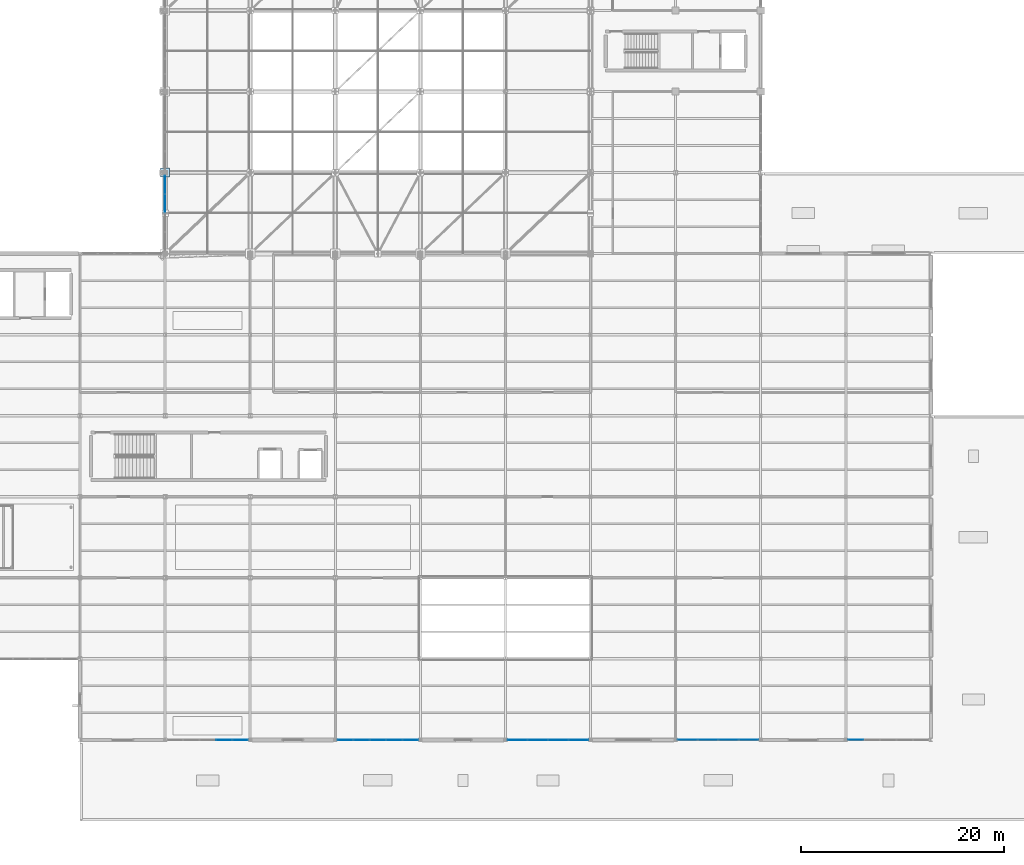
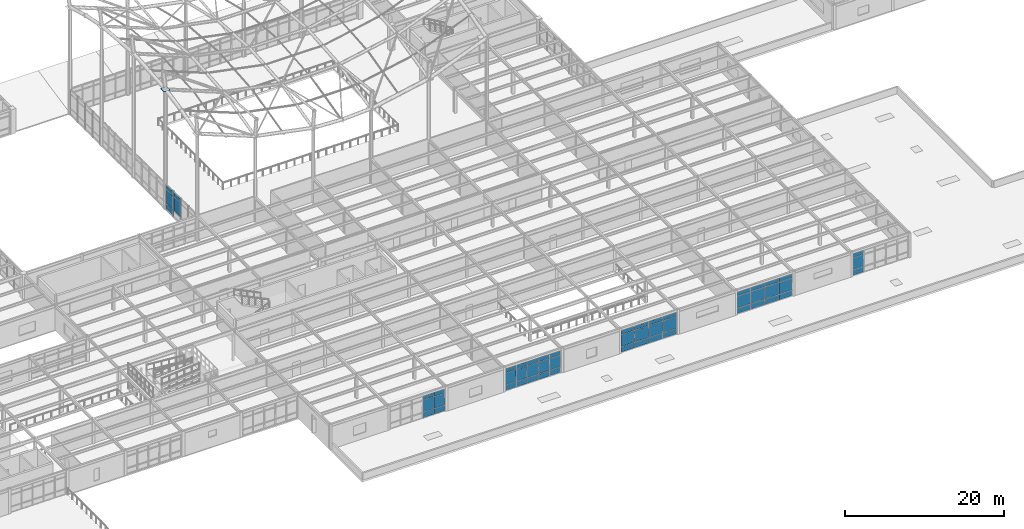
# One storey, part 58 of 138: 54 plates, 6 elements without a shape of their own.
"""IFC4 building model written with IfcOpenShell, lengths in metres."""

from ifc_helpers import new_model, si_unit, direction, frame, origin, origin_2d, place, context, subcontext, project, spatial, rectangle, extrude, material, layer, layer_set, type_object, element, aggregate, save


model = new_model("IFC4")

# Units and contexts
model_context = context("Model", 3, precision=1e-05, world=origin(), true_north=direction((0.0, 1.0)))
body_context = subcontext(model_context, "Body", "Model", "MODEL_VIEW")
ifc_project = project(units=[si_unit("LENGTHUNIT", "METRE"), si_unit("AREAUNIT", "SQUARE_METRE"), si_unit("VOLUMEUNIT", "CUBIC_METRE"), si_unit("PLANEANGLEUNIT", "RADIAN"), si_unit("MASSUNIT", "GRAM", prefix="KILO")], contexts=[model_context])

# Site, building, storey
site_placement = place(None, origin())
site = spatial("IfcSite", under=ifc_project, at=site_placement, CompositionType="ELEMENT")
building_placement = place(site_placement, origin())
building = spatial("IfcBuilding", under=site, at=building_placement, Name="Kranzveld Transit Interchange", CompositionType="ELEMENT")
storey_placement = place(building_placement, frame((0.0, 0.0, 5.43994140625)))
storey = spatial("IfcBuildingStorey", under=building, at=storey_placement, Name="L01", CompositionType="ELEMENT", Elevation=5.43994140625)

# Curtain wall, plates
ifc_material_1 = material(Name="Bronze-anodised thermally broken aluminium", Category="aluminium")
ifc_layer_1 = layer(ifc_material_1, 0.1650390625)
ifc_layer_set_1 = layer_set([ifc_layer_1], Name="Bronze-anodised thermally broken aluminium")
curtain_wall_type_1 = type_object("IfcCurtainWallType", Name="Sunny Court Arcade Curtain Wall CW-2", PredefinedType="USERDEFINED", material=ifc_layer_set_1)
curtain_wall_1_placement = place(storey_placement, origin())
curtain_wall_1 = element("IfcCurtainWall", 1, at=curtain_wall_1_placement, inside=storey, type_object=curtain_wall_type_1, Name="L01 Curtain Wall 16/B-17/B", ObjectType="CURTAIN WALL", PredefinedType="USERDEFINED")
ifc_material_2 = material(Name="Solar-control double glazing", Category="glass")
ifc_layer_2 = layer(ifc_material_2, 0.02392578125)
ifc_layer_set_2 = layer_set([ifc_layer_2], Name="Solar-control double glazing")
plate_type_1 = type_object("IfcPlateType", Name="Curtain Panel Clear Glazing 24", PredefinedType="CURTAIN_PANEL", material=ifc_layer_set_2)
plate_1_placement = place(storey_placement, frame((126.97998046875, 8.0, 0.06005859375), z_axis=(0.0, 0.0, 1.0), x_axis=(1.0, 0.0, 0.0)))
plate_1 = element("IfcPlate", 2, at=plate_1_placement, type_object=plate_type_1, Name="CW-2 panel 1.1", PredefinedType="CURTAIN_PANEL", context=body_context, shape_type="SweptSolid", body=[
    extrude(rectangle(XDim=1.520751953125, YDim=0.02392578125, at=origin_2d()), origin(), (0.0, 0.0, 1.0), 0.81005859375),
])
plate_2_placement = place(storey_placement, frame((126.97998046875, 8.0, 0.929931640625), z_axis=(0.0, 0.0, 1.0), x_axis=(1.0, 0.0, 0.0)))
plate_2 = element("IfcPlate", 3, at=plate_2_placement, type_object=plate_type_1, Name="CW-2 panel 1.2", PredefinedType="CURTAIN_PANEL", context=body_context, shape_type="SweptSolid", body=[
    extrude(rectangle(XDim=1.520751953125, YDim=0.02392578125, at=origin_2d()), origin(), (0.0, 0.0, 1.0), 1.7900390625),
])
plate_3_placement = place(storey_placement, frame((126.97998046875, 8.0, 2.77978515625), z_axis=(0.0, 0.0, 1.0), x_axis=(1.0, 0.0, 0.0)))
plate_3 = element("IfcPlate", 4, at=plate_3_placement, type_object=plate_type_1, Name="CW-2 panel 1.3", PredefinedType="CURTAIN_PANEL", context=body_context, shape_type="SweptSolid", body=[
    extrude(rectangle(XDim=1.520751953125, YDim=0.02392578125, at=origin_2d()), origin(), (0.0, 0.0, 1.0), 0.610107421875),
])
aggregate(curtain_wall_1, [plate_1, plate_2, plate_3])

ifc_material_3 = material(Name="Bronze-anodised thermally broken aluminium", Category="aluminium")
ifc_layer_3 = layer(ifc_material_3, 0.179931640625)
ifc_layer_set_3 = layer_set([ifc_layer_3], Name="Bronze-anodised thermally broken aluminium")
curtain_wall_type_2 = type_object("IfcCurtainWallType", Name="Concourse Unitised Curtain Wall CW-1", PredefinedType="USERDEFINED", material=ifc_layer_set_3)
curtain_wall_2_placement = place(storey_placement, origin())
curtain_wall_2 = element("IfcCurtainWall", 5, at=curtain_wall_2_placement, inside=storey, type_object=curtain_wall_type_2, Name="L01 Curtain Wall 14/B-15/B", ObjectType="CURTAIN WALL", PredefinedType="USERDEFINED")
ifc_material_4 = material(Name="Solar-control double glazing", Category="glass")
ifc_layer_4 = layer(ifc_material_4, 0.028076171875)
ifc_layer_set_4 = layer_set([ifc_layer_4], Name="Solar-control double glazing")
plate_type_2 = type_object("IfcPlateType", Name="Curtain Panel Double Glazing 28", PredefinedType="CURTAIN_PANEL", material=ifc_layer_set_4)
plate_4_placement = place(storey_placement, frame((110.382080078125, 8.0, 0.06494140625), z_axis=(0.0, 0.0, 1.0), x_axis=(1.0, 0.0, 0.0)))
plate_4 = element("IfcPlate", 6, at=plate_4_placement, type_object=plate_type_2, Name="CW-1 panel 1.1", PredefinedType="CURTAIN_PANEL", context=body_context, shape_type="SweptSolid", body=[
    extrude(rectangle(XDim=1.92529296875, YDim=0.028076171875, at=origin_2d()), origin(), (0.0, 0.0, 1.0), 0.802490234375),
])
plate_5_placement = place(storey_placement, frame((110.382080078125, 8.0, 0.9326171875), z_axis=(0.0, 0.0, 1.0), x_axis=(1.0, 0.0, 0.0)))
plate_5 = element("IfcPlate", 7, at=plate_5_placement, type_object=plate_type_2, Name="CW-1 panel 1.2", PredefinedType="CURTAIN_PANEL", context=body_context, shape_type="SweptSolid", body=[
    extrude(rectangle(XDim=1.92529296875, YDim=0.028076171875, at=origin_2d()), origin(), (0.0, 0.0, 1.0), 1.784912109375),
])
plate_6_placement = place(storey_placement, frame((110.382080078125, 8.0, 2.782470703125), z_axis=(0.0, 0.0, 1.0), x_axis=(1.0, 0.0, 0.0)))
plate_6 = element("IfcPlate", 8, at=plate_6_placement, type_object=plate_type_2, Name="CW-1 panel 1.3", PredefinedType="CURTAIN_PANEL", context=body_context, shape_type="SweptSolid", body=[
    extrude(rectangle(XDim=1.92529296875, YDim=0.028076171875, at=origin_2d()), origin(), (0.0, 0.0, 1.0), 0.6025390625),
])
plate_7_placement = place(storey_placement, frame((112.388671875, 8.0, 0.06494140625), z_axis=(0.0, 0.0, 1.0), x_axis=(1.0, 0.0, 0.0)))
plate_7 = element("IfcPlate", 9, at=plate_7_placement, type_object=plate_type_2, Name="CW-1 panel 2.1", PredefinedType="CURTAIN_PANEL", context=body_context, shape_type="SweptSolid", body=[
    extrude(rectangle(XDim=1.957763671875, YDim=0.028076171875, at=origin_2d()), origin(), (0.0, 0.0, 1.0), 0.802490234375),
])
plate_8_placement = place(storey_placement, frame((112.388671875, 8.0, 0.9326171875), z_axis=(0.0, 0.0, 1.0), x_axis=(1.0, 0.0, 0.0)))
plate_8 = element("IfcPlate", 10, at=plate_8_placement, type_object=plate_type_2, Name="CW-1 panel 2.2", PredefinedType="CURTAIN_PANEL", context=body_context, shape_type="SweptSolid", body=[
    extrude(rectangle(XDim=1.957763671875, YDim=0.028076171875, at=origin_2d()), origin(), (0.0, 0.0, 1.0), 1.784912109375),
])
plate_9_placement = place(storey_placement, frame((112.388671875, 8.0, 2.782470703125), z_axis=(0.0, 0.0, 1.0), x_axis=(1.0, 0.0, 0.0)))
plate_9 = element("IfcPlate", 11, at=plate_9_placement, type_object=plate_type_2, Name="CW-1 panel 2.3", PredefinedType="CURTAIN_PANEL", context=body_context, shape_type="SweptSolid", body=[
    extrude(rectangle(XDim=1.957763671875, YDim=0.028076171875, at=origin_2d()), origin(), (0.0, 0.0, 1.0), 0.6025390625),
])
plate_10_placement = place(storey_placement, frame((114.411376953125, 8.0, 0.06494140625), z_axis=(0.0, 0.0, 1.0), x_axis=(1.0, 0.0, 0.0)))
plate_10 = element("IfcPlate", 12, at=plate_10_placement, type_object=plate_type_2, Name="CW-1 panel 3.1", PredefinedType="CURTAIN_PANEL", context=body_context, shape_type="SweptSolid", body=[
    extrude(rectangle(XDim=1.957763671875, YDim=0.028076171875, at=origin_2d()), origin(), (0.0, 0.0, 1.0), 0.802490234375),
])
plate_11_placement = place(storey_placement, frame((114.411376953125, 8.0, 0.9326171875), z_axis=(0.0, 0.0, 1.0), x_axis=(1.0, 0.0, 0.0)))
plate_11 = element("IfcPlate", 13, at=plate_11_placement, type_object=plate_type_2, Name="CW-1 panel 3.2", PredefinedType="CURTAIN_PANEL", context=body_context, shape_type="SweptSolid", body=[
    extrude(rectangle(XDim=1.957763671875, YDim=0.028076171875, at=origin_2d()), origin(), (0.0, 0.0, 1.0), 1.784912109375),
])
plate_12_placement = place(storey_placement, frame((114.411376953125, 8.0, 2.782470703125), z_axis=(0.0, 0.0, 1.0), x_axis=(1.0, 0.0, 0.0)))
plate_12 = element("IfcPlate", 14, at=plate_12_placement, type_object=plate_type_2, Name="CW-1 panel 3.3", PredefinedType="CURTAIN_PANEL", context=body_context, shape_type="SweptSolid", body=[
    extrude(rectangle(XDim=1.957763671875, YDim=0.028076171875, at=origin_2d()), origin(), (0.0, 0.0, 1.0), 0.6025390625),
])
plate_13_placement = place(storey_placement, frame((116.417724609375, 8.0, 0.06494140625), z_axis=(0.0, 0.0, 1.0), x_axis=(1.0, 0.0, 0.0)))
plate_13 = element("IfcPlate", 15, at=plate_13_placement, type_object=plate_type_2, Name="CW-1 panel 4.1", PredefinedType="CURTAIN_PANEL", context=body_context, shape_type="SweptSolid", body=[
    extrude(rectangle(XDim=1.92529296875, YDim=0.028076171875, at=origin_2d()), origin(), (0.0, 0.0, 1.0), 0.802490234375),
])
plate_14_placement = place(storey_placement, frame((116.417724609375, 8.0, 0.9326171875), z_axis=(0.0, 0.0, 1.0), x_axis=(1.0, 0.0, 0.0)))
plate_14 = element("IfcPlate", 16, at=plate_14_placement, type_object=plate_type_2, Name="CW-1 panel 4.2", PredefinedType="CURTAIN_PANEL", context=body_context, shape_type="SweptSolid", body=[
    extrude(rectangle(XDim=1.92529296875, YDim=0.028076171875, at=origin_2d()), origin(), (0.0, 0.0, 1.0), 1.784912109375),
])
plate_15_placement = place(storey_placement, frame((116.417724609375, 8.0, 2.782470703125), z_axis=(0.0, 0.0, 1.0), x_axis=(1.0, 0.0, 0.0)))
plate_15 = element("IfcPlate", 17, at=plate_15_placement, type_object=plate_type_2, Name="CW-1 panel 4.3", PredefinedType="CURTAIN_PANEL", context=body_context, shape_type="SweptSolid", body=[
    extrude(rectangle(XDim=1.92529296875, YDim=0.028076171875, at=origin_2d()), origin(), (0.0, 0.0, 1.0), 0.6025390625),
])
aggregate(curtain_wall_2, [plate_4, plate_5, plate_6, plate_7, plate_8, plate_9, plate_10, plate_11, plate_12, plate_13, plate_14, plate_15])

curtain_wall_3_placement = place(storey_placement, origin())
curtain_wall_3 = element("IfcCurtainWall", 18, at=curtain_wall_3_placement, inside=storey, type_object=curtain_wall_type_1, Name="L01 Curtain Wall 10/B-11/B", ObjectType="CURTAIN WALL", PredefinedType="USERDEFINED")
ifc_material_5 = material(Name="Pretoria red-purple clinker clay face brick, 35 MPa", Category="masonry")
ifc_layer_5 = layer(ifc_material_5, 0.050048828125)
ifc_layer_set_5 = layer_set([ifc_layer_5], Name="Pretoria red-purple clinker clay face brick, 35 MPa")
plate_type_3 = type_object("IfcPlateType", Name="Curtain Spandrel Clinker Tile 50", PredefinedType="CURTAIN_PANEL", material=ifc_layer_set_5)
plate_16_placement = place(storey_placement, frame((76.579833984375, 8.0, 0.06005859375), z_axis=(0.0, 0.0, 1.0), x_axis=(1.0, 0.0, 0.0)))
plate_16 = element("IfcPlate", 19, at=plate_16_placement, type_object=plate_type_3, Name="CW-2 panel 1.1", PredefinedType="CURTAIN_PANEL", context=body_context, shape_type="SweptSolid", body=[
    extrude(rectangle(XDim=1.520751953125, YDim=0.050048828125, at=origin_2d()), origin(), (0.0, 0.0, 1.0), 0.81005859375),
])
plate_17_placement = place(storey_placement, frame((76.579833984375, 8.0, 0.929931640625), z_axis=(0.0, 0.0, 1.0), x_axis=(1.0, 0.0, 0.0)))
plate_17 = element("IfcPlate", 20, at=plate_17_placement, type_object=plate_type_3, Name="CW-2 panel 1.2", PredefinedType="CURTAIN_PANEL", context=body_context, shape_type="SweptSolid", body=[
    extrude(rectangle(XDim=1.520751953125, YDim=0.050048828125, at=origin_2d()), origin(), (0.0, 0.0, 1.0), 1.7900390625),
])
plate_18_placement = place(storey_placement, frame((76.579833984375, 8.0, 2.77978515625), z_axis=(0.0, 0.0, 1.0), x_axis=(1.0, 0.0, 0.0)))
plate_18 = element("IfcPlate", 21, at=plate_18_placement, type_object=plate_type_3, Name="CW-2 panel 1.3", PredefinedType="CURTAIN_PANEL", context=body_context, shape_type="SweptSolid", body=[
    extrude(rectangle(XDim=1.520751953125, YDim=0.050048828125, at=origin_2d()), origin(), (0.0, 0.0, 1.0), 0.610107421875),
])
plate_19_placement = place(storey_placement, frame((78.181884765625, 8.0, 0.06005859375), z_axis=(0.0, 0.0, 1.0), x_axis=(1.0, 0.0, 0.0)))
plate_19 = element("IfcPlate", 22, at=plate_19_placement, type_object=plate_type_3, Name="CW-2 panel 2.1", PredefinedType="CURTAIN_PANEL", context=body_context, shape_type="SweptSolid", body=[
    extrude(rectangle(XDim=1.55322265625, YDim=0.050048828125, at=origin_2d()), origin(), (0.0, 0.0, 1.0), 0.81005859375),
])
plate_20_placement = place(storey_placement, frame((78.181884765625, 8.0, 0.929931640625), z_axis=(0.0, 0.0, 1.0), x_axis=(1.0, 0.0, 0.0)))
plate_20 = element("IfcPlate", 23, at=plate_20_placement, type_object=plate_type_3, Name="CW-2 panel 2.2", PredefinedType="CURTAIN_PANEL", context=body_context, shape_type="SweptSolid", body=[
    extrude(rectangle(XDim=1.55322265625, YDim=0.050048828125, at=origin_2d()), origin(), (0.0, 0.0, 1.0), 1.7900390625),
])
plate_21_placement = place(storey_placement, frame((78.181884765625, 8.0, 2.77978515625), z_axis=(0.0, 0.0, 1.0), x_axis=(1.0, 0.0, 0.0)))
plate_21 = element("IfcPlate", 24, at=plate_21_placement, type_object=plate_type_3, Name="CW-2 panel 2.3", PredefinedType="CURTAIN_PANEL", context=body_context, shape_type="SweptSolid", body=[
    extrude(rectangle(XDim=1.55322265625, YDim=0.050048828125, at=origin_2d()), origin(), (0.0, 0.0, 1.0), 0.610107421875),
])
plate_22_placement = place(storey_placement, frame((79.800048828125, 8.0, 0.06005859375), z_axis=(0.0, 0.0, 1.0), x_axis=(1.0, 0.0, 0.0)))
plate_22 = element("IfcPlate", 25, at=plate_22_placement, type_object=plate_type_3, Name="CW-2 panel 3.1", PredefinedType="CURTAIN_PANEL", context=body_context, shape_type="SweptSolid", body=[
    extrude(rectangle(XDim=1.55322265625, YDim=0.050048828125, at=origin_2d()), origin(), (0.0, 0.0, 1.0), 0.81005859375),
])
plate_23_placement = place(storey_placement, frame((79.800048828125, 8.0, 0.929931640625), z_axis=(0.0, 0.0, 1.0), x_axis=(1.0, 0.0, 0.0)))
plate_23 = element("IfcPlate", 26, at=plate_23_placement, type_object=plate_type_3, Name="CW-2 panel 3.2", PredefinedType="CURTAIN_PANEL", context=body_context, shape_type="SweptSolid", body=[
    extrude(rectangle(XDim=1.55322265625, YDim=0.050048828125, at=origin_2d()), origin(), (0.0, 0.0, 1.0), 1.7900390625),
])
plate_24_placement = place(storey_placement, frame((79.800048828125, 8.0, 2.77978515625), z_axis=(0.0, 0.0, 1.0), x_axis=(1.0, 0.0, 0.0)))
plate_24 = element("IfcPlate", 27, at=plate_24_placement, type_object=plate_type_3, Name="CW-2 panel 3.3", PredefinedType="CURTAIN_PANEL", context=body_context, shape_type="SweptSolid", body=[
    extrude(rectangle(XDim=1.55322265625, YDim=0.050048828125, at=origin_2d()), origin(), (0.0, 0.0, 1.0), 0.610107421875),
])
plate_25_placement = place(storey_placement, frame((81.418212890625, 8.0, 0.06005859375), z_axis=(0.0, 0.0, 1.0), x_axis=(1.0, 0.0, 0.0)))
plate_25 = element("IfcPlate", 28, at=plate_25_placement, type_object=plate_type_3, Name="CW-2 panel 4.1", PredefinedType="CURTAIN_PANEL", context=body_context, shape_type="SweptSolid", body=[
    extrude(rectangle(XDim=1.55322265625, YDim=0.050048828125, at=origin_2d()), origin(), (0.0, 0.0, 1.0), 0.81005859375),
])
plate_26_placement = place(storey_placement, frame((81.418212890625, 8.0, 0.929931640625), z_axis=(0.0, 0.0, 1.0), x_axis=(1.0, 0.0, 0.0)))
plate_26 = element("IfcPlate", 29, at=plate_26_placement, type_object=plate_type_3, Name="CW-2 panel 4.2", PredefinedType="CURTAIN_PANEL", context=body_context, shape_type="SweptSolid", body=[
    extrude(rectangle(XDim=1.55322265625, YDim=0.050048828125, at=origin_2d()), origin(), (0.0, 0.0, 1.0), 1.7900390625),
])
plate_27_placement = place(storey_placement, frame((81.418212890625, 8.0, 2.77978515625), z_axis=(0.0, 0.0, 1.0), x_axis=(1.0, 0.0, 0.0)))
plate_27 = element("IfcPlate", 30, at=plate_27_placement, type_object=plate_type_3, Name="CW-2 panel 4.3", PredefinedType="CURTAIN_PANEL", context=body_context, shape_type="SweptSolid", body=[
    extrude(rectangle(XDim=1.55322265625, YDim=0.050048828125, at=origin_2d()), origin(), (0.0, 0.0, 1.0), 0.610107421875),
])
plate_28_placement = place(storey_placement, frame((83.02001953125, 8.0, 0.06005859375), z_axis=(0.0, 0.0, 1.0), x_axis=(1.0, 0.0, 0.0)))
plate_28 = element("IfcPlate", 31, at=plate_28_placement, type_object=plate_type_3, Name="CW-2 panel 5.1", PredefinedType="CURTAIN_PANEL", context=body_context, shape_type="SweptSolid", body=[
    extrude(rectangle(XDim=1.520751953125, YDim=0.050048828125, at=origin_2d()), origin(), (0.0, 0.0, 1.0), 0.81005859375),
])
plate_29_placement = place(storey_placement, frame((83.02001953125, 8.0, 0.929931640625), z_axis=(0.0, 0.0, 1.0), x_axis=(1.0, 0.0, 0.0)))
plate_29 = element("IfcPlate", 32, at=plate_29_placement, type_object=plate_type_3, Name="CW-2 panel 5.2", PredefinedType="CURTAIN_PANEL", context=body_context, shape_type="SweptSolid", body=[
    extrude(rectangle(XDim=1.520751953125, YDim=0.050048828125, at=origin_2d()), origin(), (0.0, 0.0, 1.0), 1.7900390625),
])
plate_30_placement = place(storey_placement, frame((83.02001953125, 8.0, 2.77978515625), z_axis=(0.0, 0.0, 1.0), x_axis=(1.0, 0.0, 0.0)))
plate_30 = element("IfcPlate", 33, at=plate_30_placement, type_object=plate_type_3, Name="CW-2 panel 5.3", PredefinedType="CURTAIN_PANEL", context=body_context, shape_type="SweptSolid", body=[
    extrude(rectangle(XDim=1.520751953125, YDim=0.050048828125, at=origin_2d()), origin(), (0.0, 0.0, 1.0), 0.610107421875),
])
aggregate(curtain_wall_3, [plate_16, plate_17, plate_18, plate_19, plate_20, plate_21, plate_22, plate_23, plate_24, plate_25, plate_26, plate_27, plate_28, plate_29, plate_30])

ifc_material_6 = material(Name="Bronze-anodised thermally broken aluminium", Category="aluminium")
ifc_layer_6 = layer(ifc_material_6, 0.159912109375)
ifc_layer_set_6 = layer_set([ifc_layer_6], Name="Bronze-anodised thermally broken aluminium")
curtain_wall_type_3 = type_object("IfcCurtainWallType", Name="Bus Boarding Glazed Screen CW-3", PredefinedType="USERDEFINED", material=ifc_layer_set_6)
curtain_wall_4_placement = place(storey_placement, origin())
curtain_wall_4 = element("IfcCurtainWall", 34, at=curtain_wall_4_placement, inside=storey, type_object=curtain_wall_type_3, Name="L01 Curtain Wall 08/H-08/J", ObjectType="CURTAIN WALL", PredefinedType="USERDEFINED")
ifc_material_7 = material(Name="Bronze-anodised thermally broken aluminium", Category="aluminium")
ifc_layer_7 = layer(ifc_material_7, 0.053955078125)
ifc_layer_set_7 = layer_set([ifc_layer_7], Name="Bronze-anodised thermally broken aluminium")
plate_type_4 = type_object("IfcPlateType", Name="Curtain Spandrel Insulated Alu 54", PredefinedType="CURTAIN_PANEL", material=ifc_layer_set_7)
plate_31_placement = place(storey_placement, frame((58.800048828125, 60.94287109375, 0.9326171875), z_axis=(0.0, 0.0, 1.0), x_axis=(0.0, 1.0, 0.0)))
plate_31 = element("IfcPlate", 35, at=plate_31_placement, type_object=plate_type_4, Name="CW-3 panel 3.2", PredefinedType="CURTAIN_PANEL", context=body_context, shape_type="SweptSolid", body=[
    extrude(rectangle(XDim=1.82568359375, YDim=0.053955078125, at=origin_2d()), origin(), (0.0, 0.0, 1.0), 2.135009765625),
])
plate_32_placement = place(storey_placement, frame((58.800048828125, 60.94287109375, 3.132568359375), z_axis=(0.0, 0.0, 1.0), x_axis=(0.0, 1.0, 0.0)))
plate_32 = element("IfcPlate", 36, at=plate_32_placement, type_object=plate_type_4, Name="CW-3 panel 3.3", PredefinedType="CURTAIN_PANEL", context=body_context, shape_type="SweptSolid", body=[
    extrude(rectangle(XDim=1.82568359375, YDim=0.053955078125, at=origin_2d()), origin(), (0.0, 0.0, 1.0), 0.6025390625),
])
plate_33_placement = place(storey_placement, frame((58.800048828125, 62.813720703125, 0.06494140625), z_axis=(0.0, 0.0, 1.0), x_axis=(0.0, 1.0, 0.0)))
plate_33 = element("IfcPlate", 37, at=plate_33_placement, type_object=plate_type_4, Name="CW-3 panel 4.1", PredefinedType="CURTAIN_PANEL", context=body_context, shape_type="SweptSolid", body=[
    extrude(rectangle(XDim=1.795654296875, YDim=0.053955078125, at=origin_2d()), origin(), (0.0, 0.0, 1.0), 0.802490234375),
])
plate_34_placement = place(storey_placement, frame((58.800048828125, 62.813720703125, 0.9326171875), z_axis=(0.0, 0.0, 1.0), x_axis=(0.0, 1.0, 0.0)))
plate_34 = element("IfcPlate", 38, at=plate_34_placement, type_object=plate_type_4, Name="CW-3 panel 4.2", PredefinedType="CURTAIN_PANEL", context=body_context, shape_type="SweptSolid", body=[
    extrude(rectangle(XDim=1.795654296875, YDim=0.053955078125, at=origin_2d()), origin(), (0.0, 0.0, 1.0), 2.135009765625),
])
plate_35_placement = place(storey_placement, frame((58.800048828125, 62.813720703125, 3.132568359375), z_axis=(0.0, 0.0, 1.0), x_axis=(0.0, 1.0, 0.0)))
plate_35 = element("IfcPlate", 39, at=plate_35_placement, type_object=plate_type_4, Name="CW-3 panel 4.3", PredefinedType="CURTAIN_PANEL", context=body_context, shape_type="SweptSolid", body=[
    extrude(rectangle(XDim=1.795654296875, YDim=0.053955078125, at=origin_2d()), origin(), (0.0, 0.0, 1.0), 0.6025390625),
])
aggregate(curtain_wall_4, [plate_31, plate_32, plate_33, plate_34, plate_35])

curtain_wall_5_placement = place(storey_placement, origin())
curtain_wall_5 = element("IfcCurtainWall", 40, at=curtain_wall_5_placement, inside=storey, type_object=curtain_wall_type_3, Name="L01 Curtain Wall 12/B-13/B", ObjectType="CURTAIN WALL", PredefinedType="USERDEFINED")
plate_36_placement = place(storey_placement, frame((93.5810546875, 8.0, 0.06494140625), z_axis=(0.0, 0.0, 1.0), x_axis=(1.0, 0.0, 0.0)))
plate_36 = element("IfcPlate", 41, at=plate_36_placement, type_object=plate_type_4, Name="CW-3 panel 1.1", PredefinedType="CURTAIN_PANEL", context=body_context, shape_type="SweptSolid", body=[
    extrude(rectangle(XDim=1.9326171875, YDim=0.053955078125, at=origin_2d()), origin(), (0.0, 0.0, 1.0), 0.802490234375),
])
plate_37_placement = place(storey_placement, frame((93.5810546875, 8.0, 0.9326171875), z_axis=(0.0, 0.0, 1.0), x_axis=(1.0, 0.0, 0.0)))
plate_37 = element("IfcPlate", 42, at=plate_37_placement, type_object=plate_type_4, Name="CW-3 panel 1.2", PredefinedType="CURTAIN_PANEL", context=body_context, shape_type="SweptSolid", body=[
    extrude(rectangle(XDim=1.9326171875, YDim=0.053955078125, at=origin_2d()), origin(), (0.0, 0.0, 1.0), 1.784912109375),
])
plate_38_placement = place(storey_placement, frame((93.5810546875, 8.0, 2.782470703125), z_axis=(0.0, 0.0, 1.0), x_axis=(1.0, 0.0, 0.0)))
plate_38 = element("IfcPlate", 43, at=plate_38_placement, type_object=plate_type_4, Name="CW-3 panel 1.3", PredefinedType="CURTAIN_PANEL", context=body_context, shape_type="SweptSolid", body=[
    extrude(rectangle(XDim=1.9326171875, YDim=0.053955078125, at=origin_2d()), origin(), (0.0, 0.0, 1.0), 0.6025390625),
])
plate_39_placement = place(storey_placement, frame((95.588623046875, 8.0, 0.06494140625), z_axis=(0.0, 0.0, 1.0), x_axis=(1.0, 0.0, 0.0)))
plate_39 = element("IfcPlate", 44, at=plate_39_placement, type_object=plate_type_4, Name="CW-3 panel 2.1", PredefinedType="CURTAIN_PANEL", context=body_context, shape_type="SweptSolid", body=[
    extrude(rectangle(XDim=1.962646484375, YDim=0.053955078125, at=origin_2d()), origin(), (0.0, 0.0, 1.0), 0.802490234375),
])
plate_40_placement = place(storey_placement, frame((95.588623046875, 8.0, 0.9326171875), z_axis=(0.0, 0.0, 1.0), x_axis=(1.0, 0.0, 0.0)))
plate_40 = element("IfcPlate", 45, at=plate_40_placement, type_object=plate_type_4, Name="CW-3 panel 2.2", PredefinedType="CURTAIN_PANEL", context=body_context, shape_type="SweptSolid", body=[
    extrude(rectangle(XDim=1.962646484375, YDim=0.053955078125, at=origin_2d()), origin(), (0.0, 0.0, 1.0), 1.784912109375),
])
plate_41_placement = place(storey_placement, frame((95.588623046875, 8.0, 2.782470703125), z_axis=(0.0, 0.0, 1.0), x_axis=(1.0, 0.0, 0.0)))
plate_41 = element("IfcPlate", 46, at=plate_41_placement, type_object=plate_type_4, Name="CW-3 panel 2.3", PredefinedType="CURTAIN_PANEL", context=body_context, shape_type="SweptSolid", body=[
    extrude(rectangle(XDim=1.962646484375, YDim=0.053955078125, at=origin_2d()), origin(), (0.0, 0.0, 1.0), 0.6025390625),
])
plate_42_placement = place(storey_placement, frame((97.611328125, 8.0, 0.06494140625), z_axis=(0.0, 0.0, 1.0), x_axis=(1.0, 0.0, 0.0)))
plate_42 = element("IfcPlate", 47, at=plate_42_placement, type_object=plate_type_4, Name="CW-3 panel 3.1", PredefinedType="CURTAIN_PANEL", context=body_context, shape_type="SweptSolid", body=[
    extrude(rectangle(XDim=1.962646484375, YDim=0.053955078125, at=origin_2d()), origin(), (0.0, 0.0, 1.0), 0.802490234375),
])
plate_43_placement = place(storey_placement, frame((97.611328125, 8.0, 0.9326171875), z_axis=(0.0, 0.0, 1.0), x_axis=(1.0, 0.0, 0.0)))
plate_43 = element("IfcPlate", 48, at=plate_43_placement, type_object=plate_type_4, Name="CW-3 panel 3.2", PredefinedType="CURTAIN_PANEL", context=body_context, shape_type="SweptSolid", body=[
    extrude(rectangle(XDim=1.962646484375, YDim=0.053955078125, at=origin_2d()), origin(), (0.0, 0.0, 1.0), 1.784912109375),
])
plate_44_placement = place(storey_placement, frame((97.611328125, 8.0, 2.782470703125), z_axis=(0.0, 0.0, 1.0), x_axis=(1.0, 0.0, 0.0)))
plate_44 = element("IfcPlate", 49, at=plate_44_placement, type_object=plate_type_4, Name="CW-3 panel 3.3", PredefinedType="CURTAIN_PANEL", context=body_context, shape_type="SweptSolid", body=[
    extrude(rectangle(XDim=1.962646484375, YDim=0.053955078125, at=origin_2d()), origin(), (0.0, 0.0, 1.0), 0.6025390625),
])
plate_45_placement = place(storey_placement, frame((99.619140625, 8.0, 0.06494140625), z_axis=(0.0, 0.0, 1.0), x_axis=(1.0, 0.0, 0.0)))
plate_45 = element("IfcPlate", 50, at=plate_45_placement, type_object=plate_type_4, Name="CW-3 panel 4.1", PredefinedType="CURTAIN_PANEL", context=body_context, shape_type="SweptSolid", body=[
    extrude(rectangle(XDim=1.9326171875, YDim=0.053955078125, at=origin_2d()), origin(), (0.0, 0.0, 1.0), 0.802490234375),
])
plate_46_placement = place(storey_placement, frame((99.619140625, 8.0, 0.9326171875), z_axis=(0.0, 0.0, 1.0), x_axis=(1.0, 0.0, 0.0)))
plate_46 = element("IfcPlate", 51, at=plate_46_placement, type_object=plate_type_4, Name="CW-3 panel 4.2", PredefinedType="CURTAIN_PANEL", context=body_context, shape_type="SweptSolid", body=[
    extrude(rectangle(XDim=1.9326171875, YDim=0.053955078125, at=origin_2d()), origin(), (0.0, 0.0, 1.0), 1.784912109375),
])
plate_47_placement = place(storey_placement, frame((99.619140625, 8.0, 2.782470703125), z_axis=(0.0, 0.0, 1.0), x_axis=(1.0, 0.0, 0.0)))
plate_47 = element("IfcPlate", 52, at=plate_47_placement, type_object=plate_type_4, Name="CW-3 panel 4.3", PredefinedType="CURTAIN_PANEL", context=body_context, shape_type="SweptSolid", body=[
    extrude(rectangle(XDim=1.9326171875, YDim=0.053955078125, at=origin_2d()), origin(), (0.0, 0.0, 1.0), 0.6025390625),
])
aggregate(curtain_wall_5, [plate_36, plate_37, plate_38, plate_39, plate_40, plate_41, plate_42, plate_43, plate_44, plate_45, plate_46, plate_47])

ifc_material_8 = material(Name="Bronze-anodised thermally broken aluminium", Category="aluminium")
ifc_layer_8 = layer(ifc_material_8, 0.155029296875)
ifc_layer_set_8 = layer_set([ifc_layer_8], Name="Bronze-anodised thermally broken aluminium")
curtain_wall_type_4 = type_object("IfcCurtainWallType", Name="Operations Courtyard Glazed Screen CW-6", PredefinedType="USERDEFINED", material=ifc_layer_set_8)
curtain_wall_6_placement = place(storey_placement, origin())
curtain_wall_6 = element("IfcCurtainWall", 53, at=curtain_wall_6_placement, inside=storey, type_object=curtain_wall_type_4, Name="L01 Curtain Wall 08/B-09/B", ObjectType="CURTAIN WALL", PredefinedType="USERDEFINED")
ifc_material_9 = material(Name="Ochre Pretoria sandstone cladding, 45 MPa", Category="masonry")
ifc_layer_9 = layer(ifc_material_9, 0.0458984375)
ifc_layer_set_9 = layer_set([ifc_layer_9], Name="Ochre Pretoria sandstone cladding, 45 MPa")
plate_type_5 = type_object("IfcPlateType", Name="Curtain Spandrel Sandstone 46", PredefinedType="CURTAIN_PANEL", material=ifc_layer_set_9)
plate_48_placement = place(storey_placement, frame((64.6181640625, 8.0, 0.06005859375), z_axis=(0.0, 0.0, 1.0), x_axis=(1.0, 0.0, 0.0)))
plate_48 = element("IfcPlate", 54, at=plate_48_placement, type_object=plate_type_5, Name="CW-6 panel 4.1", PredefinedType="CURTAIN_PANEL", context=body_context, shape_type="SweptSolid", body=[
    extrude(rectangle(XDim=1.55322265625, YDim=0.0458984375, at=origin_2d()), origin(), (0.0, 0.0, 1.0), 0.81005859375),
])
plate_49_placement = place(storey_placement, frame((64.6181640625, 8.0, 0.929931640625), z_axis=(0.0, 0.0, 1.0), x_axis=(1.0, 0.0, 0.0)))
plate_49 = element("IfcPlate", 55, at=plate_49_placement, type_object=plate_type_5, Name="CW-6 panel 4.2", PredefinedType="CURTAIN_PANEL", context=body_context, shape_type="SweptSolid", body=[
    extrude(rectangle(XDim=1.55322265625, YDim=0.0458984375, at=origin_2d()), origin(), (0.0, 0.0, 1.0), 1.7900390625),
])
plate_50_placement = place(storey_placement, frame((64.6181640625, 8.0, 2.77978515625), z_axis=(0.0, 0.0, 1.0), x_axis=(1.0, 0.0, 0.0)))
plate_50 = element("IfcPlate", 56, at=plate_50_placement, type_object=plate_type_5, Name="CW-6 panel 4.3", PredefinedType="CURTAIN_PANEL", context=body_context, shape_type="SweptSolid", body=[
    extrude(rectangle(XDim=1.55322265625, YDim=0.0458984375, at=origin_2d()), origin(), (0.0, 0.0, 1.0), 0.610107421875),
])
plate_51_placement = place(storey_placement, frame((66.219970703125, 8.0, 0.06005859375), z_axis=(0.0, 0.0, 1.0), x_axis=(1.0, 0.0, 0.0)))
plate_51 = element("IfcPlate", 57, at=plate_51_placement, type_object=plate_type_5, Name="CW-6 panel 5.1", PredefinedType="CURTAIN_PANEL", context=body_context, shape_type="SweptSolid", body=[
    extrude(rectangle(XDim=1.520751953125, YDim=0.0458984375, at=origin_2d()), origin(), (0.0, 0.0, 1.0), 0.81005859375),
])
plate_52_placement = place(storey_placement, frame((66.219970703125, 8.0, 0.929931640625), z_axis=(0.0, 0.0, 1.0), x_axis=(1.0, 0.0, 0.0)))
plate_52 = element("IfcPlate", 58, at=plate_52_placement, type_object=plate_type_5, Name="CW-6 panel 5.2", PredefinedType="CURTAIN_PANEL", context=body_context, shape_type="SweptSolid", body=[
    extrude(rectangle(XDim=1.520751953125, YDim=0.0458984375, at=origin_2d()), origin(), (0.0, 0.0, 1.0), 1.7900390625),
])
plate_53_placement = place(storey_placement, frame((66.219970703125, 8.0, 2.77978515625), z_axis=(0.0, 0.0, 1.0), x_axis=(1.0, 0.0, 0.0)))
plate_53 = element("IfcPlate", 59, at=plate_53_placement, type_object=plate_type_5, Name="CW-6 panel 5.3", PredefinedType="CURTAIN_PANEL", context=body_context, shape_type="SweptSolid", body=[
    extrude(rectangle(XDim=1.520751953125, YDim=0.0458984375, at=origin_2d()), origin(), (0.0, 0.0, 1.0), 0.610107421875),
])
aggregate(curtain_wall_6, [plate_48, plate_49, plate_50, plate_51, plate_52, plate_53])

# Plate
ifc_material_10 = material(Name="Steel S355JR", Category="steel")
ifc_layer_10 = layer(ifc_material_10, 0.050048828125)
ifc_layer_set_10 = layer_set([ifc_layer_10], Name="Steel S355JR")
plate_type_6 = type_object("IfcPlateType", Name="Mast Base Plate 900x900x50 S355JR", PredefinedType="SHEET", material=ifc_layer_set_10)
plate_54_placement = place(storey_placement, frame((58.800048828125, 64.0, 18.22998046875), z_axis=(0.0, 0.0, 1.0), x_axis=(1.0, 0.0, 0.0)))
element("IfcPlate", 60, at=plate_54_placement, inside=storey, type_object=plate_type_6, Name="Saddle Mast Base Plate M02 (08/J)", PredefinedType="SHEET", context=body_context, shape_type="SweptSolid", body=[
    extrude(rectangle(XDim=0.89990234375, YDim=0.89990234375, at=origin_2d()), origin(), (0.0, 0.0, 1.0), 0.050048828125),
])

save(model, "model.ifc")
